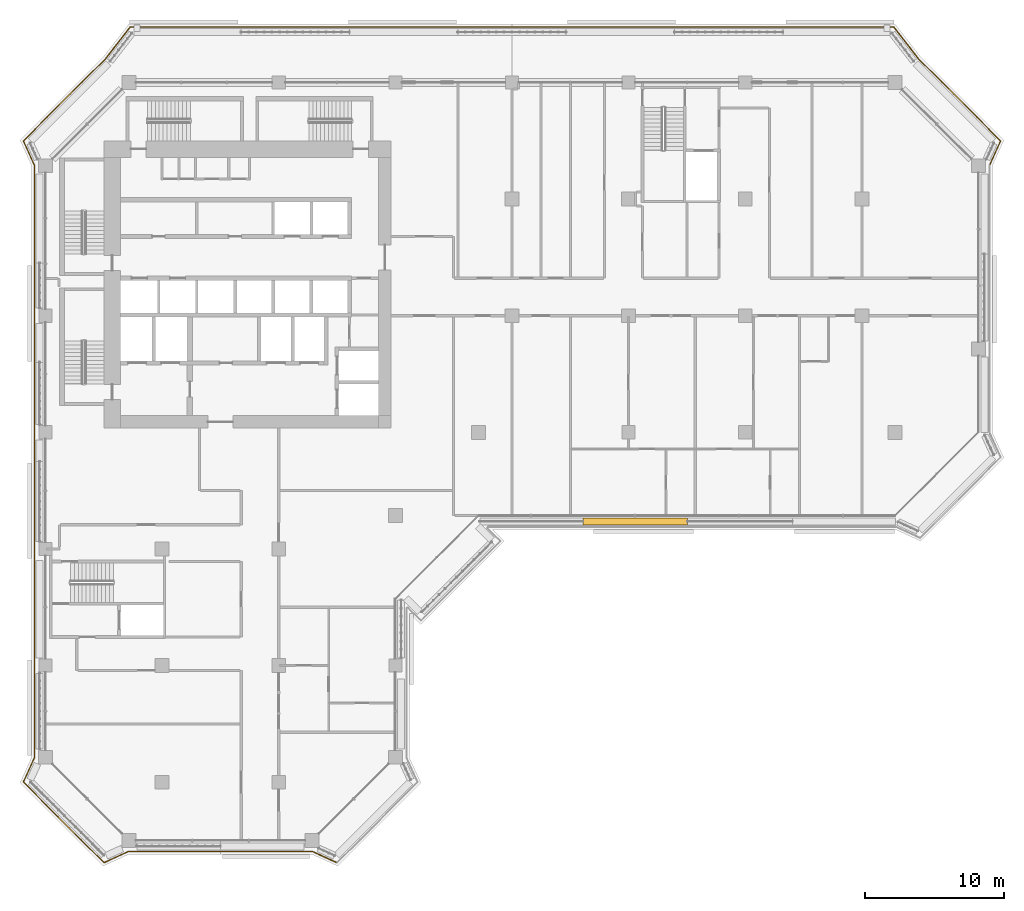
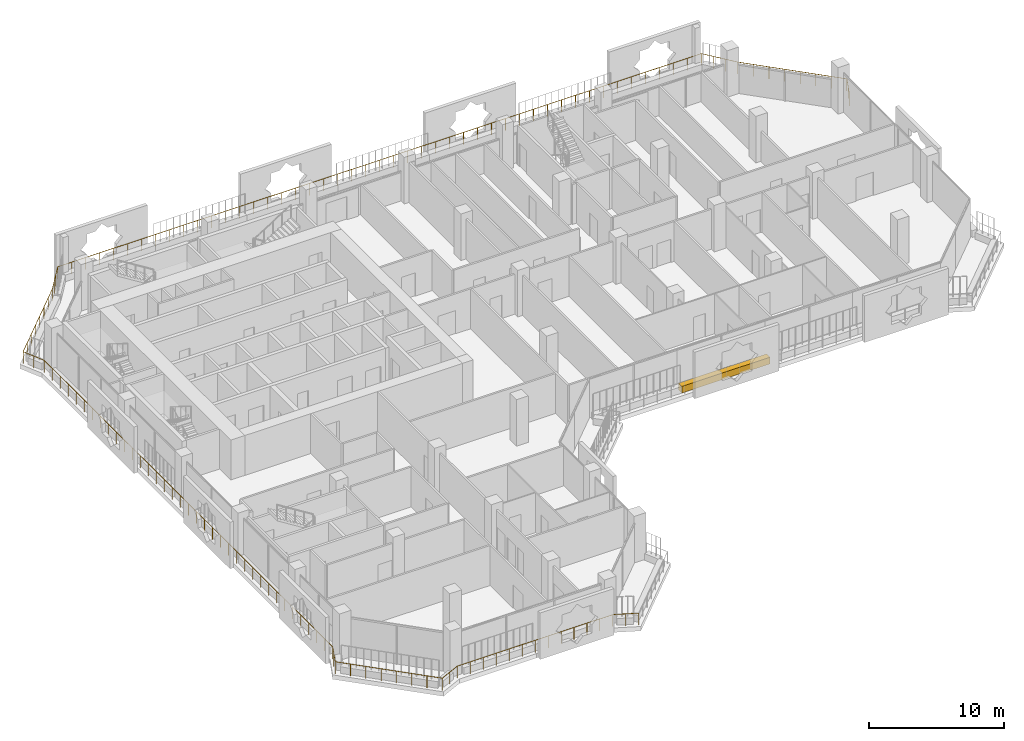
# One storey, part 18 of 22: 1 covering, 1 railing.
"""IFC4 building model written with IfcOpenShell, lengths in metres."""

from ifc_helpers import new_model, si_unit, direction, frame, origin, origin_2d, place, context, subcontext, project, spatial, rectangle, circle, extrude, material, material_profile, profile_set, type_object, element, save


model = new_model("IFC4")

# Units and contexts
model_context = context("Model", 3, precision=1e-05, world=origin(), true_north=direction((0.0, 1.0)))
body_context = subcontext(model_context, "Body", "Model", "MODEL_VIEW")
ifc_project = project(units=[si_unit("LENGTHUNIT", "METRE"), si_unit("AREAUNIT", "SQUARE_METRE"), si_unit("VOLUMEUNIT", "CUBIC_METRE"), si_unit("PLANEANGLEUNIT", "RADIAN"), si_unit("MASSUNIT", "GRAM", prefix="KILO")], contexts=[model_context])

# Site, building, storey
site_placement = place(None, origin())
site = spatial("IfcSite", under=ifc_project, at=site_placement, CompositionType="ELEMENT")
building_placement = place(site_placement, origin())
building = spatial("IfcBuilding", under=site, at=building_placement, Name="Kawkab Arch Medical Tower", CompositionType="ELEMENT")
storey_placement = place(building_placement, frame((0.0, 0.0, 183.60009765625)))
storey = spatial("IfcBuildingStorey", under=building, at=storey_placement, Name="L42", CompositionType="ELEMENT", Elevation=183.60009765625)

# Railing
ifc_material_1 = material(Name="Bronze anodised aluminium guard", Category="aluminium")
railing_type = type_object("IfcRailingType", Name="Loggia and terrace guard 1100", PredefinedType="GUARDRAIL", material=ifc_material_1)
railing_placement = place(storey_placement, frame((20.9951171875, -56.197998046875, 0.0)))
element("IfcRailing", 1, at=railing_placement, inside=storey, type_object=railing_type, Name="Guard L42.LOG-01.1.1", PredefinedType="GUARDRAIL", context=body_context, shape_type="SweptSolid", body=[
    extrude(circle(Radius=0.02392578125, at=origin_2d()), frame((0.0, 0.0, 1.076171875), z_axis=(-0.910044860056, 0.414509773934, 0.0), x_axis=(-0.414509773934, -0.910044860056, 0.0)), (0.0, 0.0, 1.0), 1.92529296875),
    extrude(circle(Radius=0.02392578125, at=origin_2d()), frame((-1.752197265625, 0.798095703125, 1.076171875), z_axis=(-1.0, 0.0, 0.0), x_axis=(0.0, -1.0, 0.0)), (0.0, 0.0, 1.0), 13.285888671875),
    extrude(circle(Radius=0.02392578125, at=origin_2d()), frame((-15.0380859375, 0.798095703125, 1.076171875), z_axis=(-0.910023069687, -0.414557610759, 0.0), x_axis=(0.414557610759, -0.910023069687, 0.0)), (0.0, 0.0, 1.0), 1.92529296875),
    extrude(circle(Radius=0.02392578125, at=origin_2d()), frame((-16.7900390625, 0.0, 1.076171875), z_axis=(-0.707106781187, 0.707106781187, 0.0), x_axis=(-0.707106781187, -0.707106781187, 0.0)), (0.0, 0.0, 1.0), 8.20654296875),
    extrude(circle(Radius=0.02392578125, at=origin_2d()), frame((-22.593017578125, 5.802978515625, 1.076171875), z_axis=(0.414452581809, 0.910070907914, 0.0), x_axis=(-0.910070907914, 0.414452581809, 0.0)), (0.0, 0.0, 1.0), 1.925048828125),
    extrude(circle(Radius=0.02392578125, at=origin_2d()), frame((-21.795166015625, 7.554931640625, 1.076171875), z_axis=(0.0, 1.0, 0.0), x_axis=(-1.0, 0.0, 0.0)), (0.0, 0.0, 1.0), 42.68603515625),
    extrude(circle(Radius=0.02392578125, at=origin_2d()), frame((-21.795166015625, 50.240966796875, 1.076171875), z_axis=(-0.414452581809, 0.910070907914, 0.0), x_axis=(-0.910070907914, -0.414452581809, 0.0)), (0.0, 0.0, 1.0), 1.925048828125),
    extrude(circle(Radius=0.02392578125, at=origin_2d()), frame((-22.593017578125, 51.992919921875, 1.076171875), z_axis=(0.707092175918, 0.707121386154, 0.0), x_axis=(-0.707121386154, 0.707092175918, 0.0)), (0.0, 0.0, 1.0), 8.358154296875),
    extrude(circle(Radius=0.02392578125, at=origin_2d()), frame((-16.68310546875, 57.903076171875, 1.076171875), z_axis=(0.614144026922, 0.789193964876, 0.0), x_axis=(-0.789193964876, 0.614144026922, 0.0)), (0.0, 0.0, 1.0), 2.907958984375),
    extrude(circle(Radius=0.02392578125, at=origin_2d()), frame((-14.897216796875, 60.197998046875, 1.076171875), z_axis=(1.0, 0.0, 0.0), x_axis=(0.0, 1.0, 0.0)), (0.0, 0.0, 1.0), 55.004150390625),
    extrude(circle(Radius=0.02392578125, at=origin_2d()), frame((40.10693359375, 60.197998046875, 1.076171875), z_axis=(0.614144026922, -0.789193964876, 0.0), x_axis=(0.789193964876, 0.614144026922, 0.0)), (0.0, 0.0, 1.0), 2.907958984375),
    extrude(circle(Radius=0.02392578125, at=origin_2d()), frame((41.892822265625, 57.903076171875, 1.076171875), z_axis=(0.707106781187, -0.707106781187, 0.0), x_axis=(0.707106781187, 0.707106781187, 0.0)), (0.0, 0.0, 1.0), 8.358154296875),
    extrude(circle(Radius=0.02392578125, at=origin_2d()), frame((47.802978515625, 51.992919921875, 1.076171875), z_axis=(-0.414557610759, -0.910023069687, 0.0), x_axis=(0.910023069687, -0.414557610759, 0.0)), (0.0, 0.0, 1.0), 1.92529296875),
    extrude(circle(Radius=0.02099609375, at=origin_2d()), origin(), (0.0, 0.0, 1.0), 1.052001953125),
    extrude(circle(Radius=0.02099609375, at=origin_2d()), frame((-0.8759765625, 0.39892578125, 0.0)), (0.0, 0.0, 1.0), 1.052001953125),
    extrude(circle(Radius=0.02099609375, at=origin_2d()), frame((-1.752197265625, 0.798095703125, 0.0)), (0.0, 0.0, 1.0), 1.052001953125),
    extrude(circle(Radius=0.02099609375, at=origin_2d()), frame((-2.859375, 0.798095703125, 0.0)), (0.0, 0.0, 1.0), 1.052001953125),
    extrude(circle(Radius=0.02099609375, at=origin_2d()), frame((-3.966552734375, 0.798095703125, 0.0)), (0.0, 0.0, 1.0), 1.052001953125),
    extrude(circle(Radius=0.02099609375, at=origin_2d()), frame((-5.07373046875, 0.798095703125, 0.0)), (0.0, 0.0, 1.0), 1.052001953125),
    extrude(circle(Radius=0.02099609375, at=origin_2d()), frame((-6.180908203125, 0.798095703125, 0.0)), (0.0, 0.0, 1.0), 1.052001953125),
    extrude(circle(Radius=0.02099609375, at=origin_2d()), frame((-7.2880859375, 0.798095703125, 0.0)), (0.0, 0.0, 1.0), 1.052001953125),
    extrude(circle(Radius=0.02099609375, at=origin_2d()), frame((-8.39501953125, 0.798095703125, 0.0)), (0.0, 0.0, 1.0), 1.052001953125),
    extrude(circle(Radius=0.02099609375, at=origin_2d()), frame((-9.502197265625, 0.798095703125, 0.0)), (0.0, 0.0, 1.0), 1.052001953125),
    extrude(circle(Radius=0.02099609375, at=origin_2d()), frame((-10.609375, 0.798095703125, 0.0)), (0.0, 0.0, 1.0), 1.052001953125),
    extrude(circle(Radius=0.02099609375, at=origin_2d()), frame((-11.716552734375, 0.798095703125, 0.0)), (0.0, 0.0, 1.0), 1.052001953125),
    extrude(circle(Radius=0.02099609375, at=origin_2d()), frame((-12.82373046875, 0.798095703125, 0.0)), (0.0, 0.0, 1.0), 1.052001953125),
    extrude(circle(Radius=0.02099609375, at=origin_2d()), frame((-13.930908203125, 0.798095703125, 0.0)), (0.0, 0.0, 1.0), 1.052001953125),
    extrude(circle(Radius=0.02099609375, at=origin_2d()), frame((-15.0380859375, 0.798095703125, 0.0)), (0.0, 0.0, 1.0), 1.052001953125),
    extrude(circle(Radius=0.02099609375, at=origin_2d()), frame((-15.9140625, 0.39892578125, 0.0)), (0.0, 0.0, 1.0), 1.052001953125),
    extrude(circle(Radius=0.02099609375, at=origin_2d()), frame((-16.7900390625, 0.0, 0.0)), (0.0, 0.0, 1.0), 1.052001953125),
    extrude(circle(Radius=0.02099609375, at=origin_2d()), frame((-17.619140625, 0.8291015625, 0.0)), (0.0, 0.0, 1.0), 1.052001953125),
    extrude(circle(Radius=0.02099609375, at=origin_2d()), frame((-18.447998046875, 1.657958984375, 0.0)), (0.0, 0.0, 1.0), 1.052001953125),
    extrude(circle(Radius=0.02099609375, at=origin_2d()), frame((-19.277099609375, 2.487060546875, 0.0)), (0.0, 0.0, 1.0), 1.052001953125),
    extrude(circle(Radius=0.02099609375, at=origin_2d()), frame((-20.10595703125, 3.31591796875, 0.0)), (0.0, 0.0, 1.0), 1.052001953125),
    extrude(circle(Radius=0.02099609375, at=origin_2d()), frame((-20.93505859375, 4.14501953125, 0.0)), (0.0, 0.0, 1.0), 1.052001953125),
    extrude(circle(Radius=0.02099609375, at=origin_2d()), frame((-21.763916015625, 4.973876953125, 0.0)), (0.0, 0.0, 1.0), 1.052001953125),
    extrude(circle(Radius=0.02099609375, at=origin_2d()), frame((-22.593017578125, 5.802978515625, 0.0)), (0.0, 0.0, 1.0), 1.052001953125),
    extrude(circle(Radius=0.02099609375, at=origin_2d()), frame((-22.194091796875, 6.678955078125, 0.0)), (0.0, 0.0, 1.0), 1.052001953125),
    extrude(circle(Radius=0.02099609375, at=origin_2d()), frame((-21.795166015625, 7.554931640625, 0.0)), (0.0, 0.0, 1.0), 1.052001953125),
    extrude(circle(Radius=0.02099609375, at=origin_2d()), frame((-21.795166015625, 8.74072265625, 0.0)), (0.0, 0.0, 1.0), 1.052001953125),
    extrude(circle(Radius=0.02099609375, at=origin_2d()), frame((-21.795166015625, 9.92626953125, 0.0)), (0.0, 0.0, 1.0), 1.052001953125),
    extrude(circle(Radius=0.02099609375, at=origin_2d()), frame((-21.795166015625, 11.112060546875, 0.0)), (0.0, 0.0, 1.0), 1.052001953125),
    extrude(circle(Radius=0.02099609375, at=origin_2d()), frame((-21.795166015625, 12.2978515625, 0.0)), (0.0, 0.0, 1.0), 1.052001953125),
    extrude(circle(Radius=0.02099609375, at=origin_2d()), frame((-21.795166015625, 13.483642578125, 0.0)), (0.0, 0.0, 1.0), 1.052001953125),
    extrude(circle(Radius=0.02099609375, at=origin_2d()), frame((-21.795166015625, 14.669189453125, 0.0)), (0.0, 0.0, 1.0), 1.052001953125),
    extrude(circle(Radius=0.02099609375, at=origin_2d()), frame((-21.795166015625, 15.85498046875, 0.0)), (0.0, 0.0, 1.0), 1.052001953125),
    extrude(circle(Radius=0.02099609375, at=origin_2d()), frame((-21.795166015625, 17.040771484375, 0.0)), (0.0, 0.0, 1.0), 1.052001953125),
    extrude(circle(Radius=0.02099609375, at=origin_2d()), frame((-21.795166015625, 18.2265625, 0.0)), (0.0, 0.0, 1.0), 1.052001953125),
    extrude(circle(Radius=0.02099609375, at=origin_2d()), frame((-21.795166015625, 19.412109375, 0.0)), (0.0, 0.0, 1.0), 1.052001953125),
    extrude(circle(Radius=0.02099609375, at=origin_2d()), frame((-21.795166015625, 20.597900390625, 0.0)), (0.0, 0.0, 1.0), 1.052001953125),
    extrude(circle(Radius=0.02099609375, at=origin_2d()), frame((-21.795166015625, 21.78369140625, 0.0)), (0.0, 0.0, 1.0), 1.052001953125),
    extrude(circle(Radius=0.02099609375, at=origin_2d()), frame((-21.795166015625, 22.96923828125, 0.0)), (0.0, 0.0, 1.0), 1.052001953125),
    extrude(circle(Radius=0.02099609375, at=origin_2d()), frame((-21.795166015625, 24.155029296875, 0.0)), (0.0, 0.0, 1.0), 1.052001953125),
    extrude(circle(Radius=0.02099609375, at=origin_2d()), frame((-21.795166015625, 25.3408203125, 0.0)), (0.0, 0.0, 1.0), 1.052001953125),
    extrude(circle(Radius=0.02099609375, at=origin_2d()), frame((-21.795166015625, 26.526611328125, 0.0)), (0.0, 0.0, 1.0), 1.052001953125),
    extrude(circle(Radius=0.02099609375, at=origin_2d()), frame((-21.795166015625, 27.712158203125, 0.0)), (0.0, 0.0, 1.0), 1.052001953125),
    extrude(circle(Radius=0.02099609375, at=origin_2d()), frame((-21.795166015625, 28.89794921875, 0.0)), (0.0, 0.0, 1.0), 1.052001953125),
    extrude(circle(Radius=0.02099609375, at=origin_2d()), frame((-21.795166015625, 30.083740234375, 0.0)), (0.0, 0.0, 1.0), 1.052001953125),
    extrude(circle(Radius=0.02099609375, at=origin_2d()), frame((-21.795166015625, 31.269287109375, 0.0)), (0.0, 0.0, 1.0), 1.052001953125),
    extrude(circle(Radius=0.02099609375, at=origin_2d()), frame((-21.795166015625, 32.455078125, 0.0)), (0.0, 0.0, 1.0), 1.052001953125),
    extrude(circle(Radius=0.02099609375, at=origin_2d()), frame((-21.795166015625, 33.640869140625, 0.0)), (0.0, 0.0, 1.0), 1.052001953125),
    extrude(circle(Radius=0.02099609375, at=origin_2d()), frame((-21.795166015625, 34.82666015625, 0.0)), (0.0, 0.0, 1.0), 1.052001953125),
    extrude(circle(Radius=0.02099609375, at=origin_2d()), frame((-21.795166015625, 36.01220703125, 0.0)), (0.0, 0.0, 1.0), 1.052001953125),
    extrude(circle(Radius=0.02099609375, at=origin_2d()), frame((-21.795166015625, 37.197998046875, 0.0)), (0.0, 0.0, 1.0), 1.052001953125),
    extrude(circle(Radius=0.02099609375, at=origin_2d()), frame((-21.795166015625, 38.3837890625, 0.0)), (0.0, 0.0, 1.0), 1.052001953125),
    extrude(circle(Radius=0.02099609375, at=origin_2d()), frame((-21.795166015625, 39.5693359375, 0.0)), (0.0, 0.0, 1.0), 1.052001953125),
    extrude(circle(Radius=0.02099609375, at=origin_2d()), frame((-21.795166015625, 40.755126953125, 0.0)), (0.0, 0.0, 1.0), 1.052001953125),
    extrude(circle(Radius=0.02099609375, at=origin_2d()), frame((-21.795166015625, 41.94091796875, 0.0)), (0.0, 0.0, 1.0), 1.052001953125),
    extrude(circle(Radius=0.02099609375, at=origin_2d()), frame((-21.795166015625, 43.126708984375, 0.0)), (0.0, 0.0, 1.0), 1.052001953125),
    extrude(circle(Radius=0.02099609375, at=origin_2d()), frame((-21.795166015625, 44.312255859375, 0.0)), (0.0, 0.0, 1.0), 1.052001953125),
    extrude(circle(Radius=0.02099609375, at=origin_2d()), frame((-21.795166015625, 45.498046875, 0.0)), (0.0, 0.0, 1.0), 1.052001953125),
    extrude(circle(Radius=0.02099609375, at=origin_2d()), frame((-21.795166015625, 46.683837890625, 0.0)), (0.0, 0.0, 1.0), 1.052001953125),
    extrude(circle(Radius=0.02099609375, at=origin_2d()), frame((-21.795166015625, 47.86962890625, 0.0)), (0.0, 0.0, 1.0), 1.052001953125),
    extrude(circle(Radius=0.02099609375, at=origin_2d()), frame((-21.795166015625, 49.05517578125, 0.0)), (0.0, 0.0, 1.0), 1.052001953125),
    extrude(circle(Radius=0.02099609375, at=origin_2d()), frame((-21.795166015625, 50.240966796875, 0.0)), (0.0, 0.0, 1.0), 1.052001953125),
    extrude(circle(Radius=0.02099609375, at=origin_2d()), frame((-22.194091796875, 51.116943359375, 0.0)), (0.0, 0.0, 1.0), 1.052001953125),
    extrude(circle(Radius=0.02099609375, at=origin_2d()), frame((-22.593017578125, 51.992919921875, 0.0)), (0.0, 0.0, 1.0), 1.052001953125),
    extrude(circle(Radius=0.02099609375, at=origin_2d()), frame((-21.748779296875, 52.837158203125, 0.0)), (0.0, 0.0, 1.0), 1.052001953125),
    extrude(circle(Radius=0.02099609375, at=origin_2d()), frame((-20.904541015625, 53.681640625, 0.0)), (0.0, 0.0, 1.0), 1.052001953125),
    extrude(circle(Radius=0.02099609375, at=origin_2d()), frame((-20.060302734375, 54.52587890625, 0.0)), (0.0, 0.0, 1.0), 1.052001953125),
    extrude(circle(Radius=0.02099609375, at=origin_2d()), frame((-19.2158203125, 55.3701171875, 0.0)), (0.0, 0.0, 1.0), 1.052001953125),
    extrude(circle(Radius=0.02099609375, at=origin_2d()), frame((-18.37158203125, 56.21435546875, 0.0)), (0.0, 0.0, 1.0), 1.052001953125),
    extrude(circle(Radius=0.02099609375, at=origin_2d()), frame((-17.52734375, 57.058837890625, 0.0)), (0.0, 0.0, 1.0), 1.052001953125),
    extrude(circle(Radius=0.02099609375, at=origin_2d()), frame((-16.68310546875, 57.903076171875, 0.0)), (0.0, 0.0, 1.0), 1.052001953125),
    extrude(circle(Radius=0.02099609375, at=origin_2d()), frame((-16.087890625, 58.66796875, 0.0)), (0.0, 0.0, 1.0), 1.052001953125),
    extrude(circle(Radius=0.02099609375, at=origin_2d()), frame((-15.492431640625, 59.43310546875, 0.0)), (0.0, 0.0, 1.0), 1.052001953125),
    extrude(circle(Radius=0.02099609375, at=origin_2d()), frame((-14.897216796875, 60.197998046875, 0.0)), (0.0, 0.0, 1.0), 1.052001953125),
    extrude(circle(Radius=0.02099609375, at=origin_2d()), frame((-13.701416015625, 60.197998046875, 0.0)), (0.0, 0.0, 1.0), 1.052001953125),
    extrude(circle(Radius=0.02099609375, at=origin_2d()), frame((-12.505615234375, 60.197998046875, 0.0)), (0.0, 0.0, 1.0), 1.052001953125),
    extrude(circle(Radius=0.02099609375, at=origin_2d()), frame((-11.31005859375, 60.197998046875, 0.0)), (0.0, 0.0, 1.0), 1.052001953125),
    extrude(circle(Radius=0.02099609375, at=origin_2d()), frame((-10.1142578125, 60.197998046875, 0.0)), (0.0, 0.0, 1.0), 1.052001953125),
    extrude(circle(Radius=0.02099609375, at=origin_2d()), frame((-8.91845703125, 60.197998046875, 0.0)), (0.0, 0.0, 1.0), 1.052001953125),
    extrude(circle(Radius=0.02099609375, at=origin_2d()), frame((-7.72265625, 60.197998046875, 0.0)), (0.0, 0.0, 1.0), 1.052001953125),
    extrude(circle(Radius=0.02099609375, at=origin_2d()), frame((-6.527099609375, 60.197998046875, 0.0)), (0.0, 0.0, 1.0), 1.052001953125),
    extrude(circle(Radius=0.02099609375, at=origin_2d()), frame((-5.331298828125, 60.197998046875, 0.0)), (0.0, 0.0, 1.0), 1.052001953125),
    extrude(circle(Radius=0.02099609375, at=origin_2d()), frame((-4.135498046875, 60.197998046875, 0.0)), (0.0, 0.0, 1.0), 1.052001953125),
    extrude(circle(Radius=0.02099609375, at=origin_2d()), frame((-2.939697265625, 60.197998046875, 0.0)), (0.0, 0.0, 1.0), 1.052001953125),
    extrude(circle(Radius=0.02099609375, at=origin_2d()), frame((-1.744140625, 60.197998046875, 0.0)), (0.0, 0.0, 1.0), 1.052001953125),
    extrude(circle(Radius=0.02099609375, at=origin_2d()), frame((-0.54833984375, 60.197998046875, 0.0)), (0.0, 0.0, 1.0), 1.052001953125),
    extrude(circle(Radius=0.02099609375, at=origin_2d()), frame((0.6474609375, 60.197998046875, 0.0)), (0.0, 0.0, 1.0), 1.052001953125),
    extrude(circle(Radius=0.02099609375, at=origin_2d()), frame((1.84326171875, 60.197998046875, 0.0)), (0.0, 0.0, 1.0), 1.052001953125),
    extrude(circle(Radius=0.02099609375, at=origin_2d()), frame((3.038818359375, 60.197998046875, 0.0)), (0.0, 0.0, 1.0), 1.052001953125),
    extrude(circle(Radius=0.02099609375, at=origin_2d()), frame((4.234619140625, 60.197998046875, 0.0)), (0.0, 0.0, 1.0), 1.052001953125),
    extrude(circle(Radius=0.02099609375, at=origin_2d()), frame((5.430419921875, 60.197998046875, 0.0)), (0.0, 0.0, 1.0), 1.052001953125),
    extrude(circle(Radius=0.02099609375, at=origin_2d()), frame((6.626220703125, 60.197998046875, 0.0)), (0.0, 0.0, 1.0), 1.052001953125),
    extrude(circle(Radius=0.02099609375, at=origin_2d()), frame((7.82177734375, 60.197998046875, 0.0)), (0.0, 0.0, 1.0), 1.052001953125),
    extrude(circle(Radius=0.02099609375, at=origin_2d()), frame((9.017578125, 60.197998046875, 0.0)), (0.0, 0.0, 1.0), 1.052001953125),
    extrude(circle(Radius=0.02099609375, at=origin_2d()), frame((10.21337890625, 60.197998046875, 0.0)), (0.0, 0.0, 1.0), 1.052001953125),
    extrude(circle(Radius=0.02099609375, at=origin_2d()), frame((11.4091796875, 60.197998046875, 0.0)), (0.0, 0.0, 1.0), 1.052001953125),
    extrude(circle(Radius=0.02099609375, at=origin_2d()), frame((12.60498046875, 60.197998046875, 0.0)), (0.0, 0.0, 1.0), 1.052001953125),
    extrude(circle(Radius=0.02099609375, at=origin_2d()), frame((13.800537109375, 60.197998046875, 0.0)), (0.0, 0.0, 1.0), 1.052001953125),
    extrude(circle(Radius=0.02099609375, at=origin_2d()), frame((14.996337890625, 60.197998046875, 0.0)), (0.0, 0.0, 1.0), 1.052001953125),
    extrude(circle(Radius=0.02099609375, at=origin_2d()), frame((16.192138671875, 60.197998046875, 0.0)), (0.0, 0.0, 1.0), 1.052001953125),
    extrude(circle(Radius=0.02099609375, at=origin_2d()), frame((17.387939453125, 60.197998046875, 0.0)), (0.0, 0.0, 1.0), 1.052001953125),
    extrude(circle(Radius=0.02099609375, at=origin_2d()), frame((18.58349609375, 60.197998046875, 0.0)), (0.0, 0.0, 1.0), 1.052001953125),
    extrude(circle(Radius=0.02099609375, at=origin_2d()), frame((19.779296875, 60.197998046875, 0.0)), (0.0, 0.0, 1.0), 1.052001953125),
    extrude(circle(Radius=0.02099609375, at=origin_2d()), frame((20.97509765625, 60.197998046875, 0.0)), (0.0, 0.0, 1.0), 1.052001953125),
    extrude(circle(Radius=0.02099609375, at=origin_2d()), frame((22.1708984375, 60.197998046875, 0.0)), (0.0, 0.0, 1.0), 1.052001953125),
    extrude(circle(Radius=0.02099609375, at=origin_2d()), frame((23.366455078125, 60.197998046875, 0.0)), (0.0, 0.0, 1.0), 1.052001953125),
    extrude(circle(Radius=0.02099609375, at=origin_2d()), frame((24.562255859375, 60.197998046875, 0.0)), (0.0, 0.0, 1.0), 1.052001953125),
    extrude(circle(Radius=0.02099609375, at=origin_2d()), frame((25.758056640625, 60.197998046875, 0.0)), (0.0, 0.0, 1.0), 1.052001953125),
    extrude(circle(Radius=0.02099609375, at=origin_2d()), frame((26.953857421875, 60.197998046875, 0.0)), (0.0, 0.0, 1.0), 1.052001953125),
    extrude(circle(Radius=0.02099609375, at=origin_2d()), frame((28.1494140625, 60.197998046875, 0.0)), (0.0, 0.0, 1.0), 1.052001953125),
    extrude(circle(Radius=0.02099609375, at=origin_2d()), frame((29.34521484375, 60.197998046875, 0.0)), (0.0, 0.0, 1.0), 1.052001953125),
    extrude(circle(Radius=0.02099609375, at=origin_2d()), frame((30.541015625, 60.197998046875, 0.0)), (0.0, 0.0, 1.0), 1.052001953125),
    extrude(circle(Radius=0.02099609375, at=origin_2d()), frame((31.73681640625, 60.197998046875, 0.0)), (0.0, 0.0, 1.0), 1.052001953125),
    extrude(circle(Radius=0.02099609375, at=origin_2d()), frame((32.932373046875, 60.197998046875, 0.0)), (0.0, 0.0, 1.0), 1.052001953125),
    extrude(circle(Radius=0.02099609375, at=origin_2d()), frame((34.128173828125, 60.197998046875, 0.0)), (0.0, 0.0, 1.0), 1.052001953125),
    extrude(circle(Radius=0.02099609375, at=origin_2d()), frame((35.323974609375, 60.197998046875, 0.0)), (0.0, 0.0, 1.0), 1.052001953125),
    extrude(circle(Radius=0.02099609375, at=origin_2d()), frame((36.519775390625, 60.197998046875, 0.0)), (0.0, 0.0, 1.0), 1.052001953125),
    extrude(circle(Radius=0.02099609375, at=origin_2d()), frame((37.71533203125, 60.197998046875, 0.0)), (0.0, 0.0, 1.0), 1.052001953125),
    extrude(circle(Radius=0.02099609375, at=origin_2d()), frame((38.9111328125, 60.197998046875, 0.0)), (0.0, 0.0, 1.0), 1.052001953125),
    extrude(circle(Radius=0.02099609375, at=origin_2d()), frame((40.10693359375, 60.197998046875, 0.0)), (0.0, 0.0, 1.0), 1.052001953125),
    extrude(circle(Radius=0.02099609375, at=origin_2d()), frame((40.7021484375, 59.43310546875, 0.0)), (0.0, 0.0, 1.0), 1.052001953125),
    extrude(circle(Radius=0.02099609375, at=origin_2d()), frame((41.297607421875, 58.66796875, 0.0)), (0.0, 0.0, 1.0), 1.052001953125),
    extrude(circle(Radius=0.02099609375, at=origin_2d()), frame((41.892822265625, 57.903076171875, 0.0)), (0.0, 0.0, 1.0), 1.052001953125),
    extrude(circle(Radius=0.02099609375, at=origin_2d()), frame((42.737060546875, 57.058837890625, 0.0)), (0.0, 0.0, 1.0), 1.052001953125),
    extrude(circle(Radius=0.02099609375, at=origin_2d()), frame((43.58154296875, 56.21435546875, 0.0)), (0.0, 0.0, 1.0), 1.052001953125),
    extrude(circle(Radius=0.02099609375, at=origin_2d()), frame((44.42578125, 55.3701171875, 0.0)), (0.0, 0.0, 1.0), 1.052001953125),
    extrude(circle(Radius=0.02099609375, at=origin_2d()), frame((45.27001953125, 54.52587890625, 0.0)), (0.0, 0.0, 1.0), 1.052001953125),
    extrude(circle(Radius=0.02099609375, at=origin_2d()), frame((46.1142578125, 53.681640625, 0.0)), (0.0, 0.0, 1.0), 1.052001953125),
    extrude(circle(Radius=0.02099609375, at=origin_2d()), frame((46.958740234375, 52.837158203125, 0.0)), (0.0, 0.0, 1.0), 1.052001953125),
    extrude(circle(Radius=0.02099609375, at=origin_2d()), frame((47.802978515625, 51.992919921875, 0.0)), (0.0, 0.0, 1.0), 1.052001953125),
    extrude(circle(Radius=0.02099609375, at=origin_2d()), frame((47.40380859375, 51.116943359375, 0.0)), (0.0, 0.0, 1.0), 1.052001953125),
    extrude(circle(Radius=0.02099609375, at=origin_2d()), frame((47.0048828125, 50.240966796875, 0.0)), (0.0, 0.0, 1.0), 1.052001953125),
])

# Covering
ifc_material_2 = material(Name="Planting soil in a precast trough", Category="concrete")
ifc_material_profile = material_profile(ifc_material_2, rectangle(XDim=0.5, YDim=0.60009765625, at=origin_2d()), Name="Trough 500x600")
ifc_profile_set = profile_set([ifc_material_profile], Name="Planting soil in a precast trough")
covering_type = type_object("IfcCoveringType", Name="Planter trough 500 x 600", PredefinedType="USERDEFINED", material=ifc_profile_set)
covering_placement = place(storey_placement, frame((46.2548828125, -31.6201171875, 0.2998046875), z_axis=(-1.0, 0.0, 0.0), x_axis=(0.0, -1.0, 0.0)))
element("IfcCovering", 2, at=covering_placement, inside=storey, type_object=covering_type, Name="Planter L42.LOG-01-01.36", ObjectType="PLANTER", PredefinedType="USERDEFINED", context=body_context, shape_type="SweptSolid", body=[
    extrude(rectangle(XDim=0.5, YDim=0.60009765625, at=origin_2d()), origin(), (0.0, 0.0, 1.0), 7.534912109375),
])

save(model, "model.ifc")
